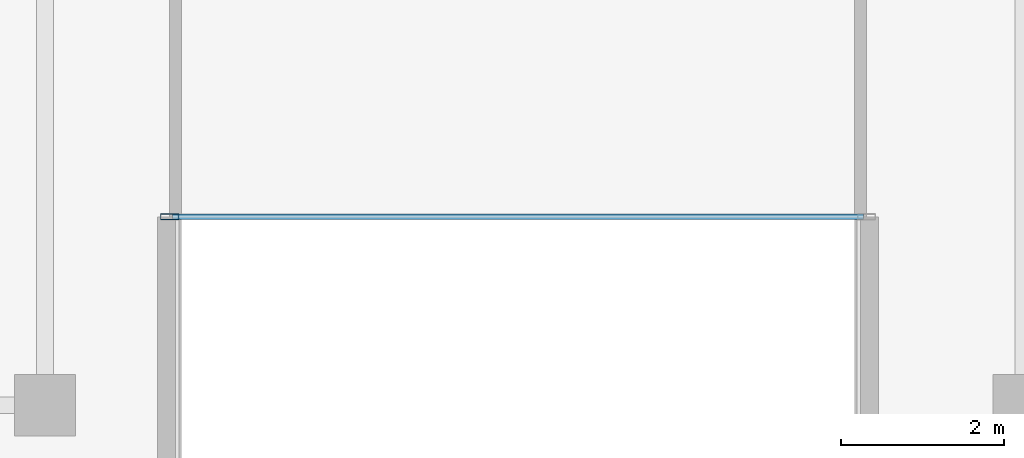
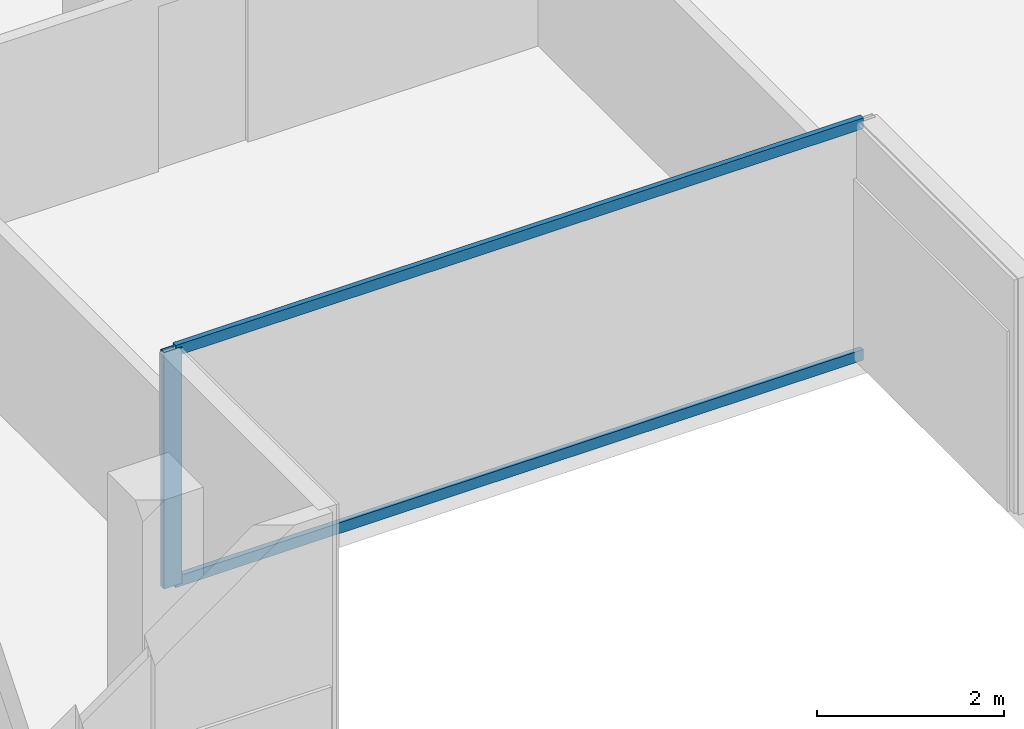
# One storey, part 4 of 28: 3 members, 1 element without a shape of its own.
"""IFC4 building model written with IfcOpenShell, lengths in metres."""

from ifc_helpers import new_model, si_unit, direction, frame, origin, origin_2d, place, context, subcontext, project, spatial, hollow_rectangle, extrude, material, layer, layer_set, material_profile, profile_set, type_object, element, aggregate, save


model = new_model("IFC4")

# Units and contexts
model_context = context("Model", 3, precision=1e-05, world=origin(), true_north=direction((0.0, 1.0)))
body_context = subcontext(model_context, "Body", "Model", "MODEL_VIEW")
ifc_project = project(units=[si_unit("LENGTHUNIT", "METRE"), si_unit("AREAUNIT", "SQUARE_METRE"), si_unit("VOLUMEUNIT", "CUBIC_METRE"), si_unit("PLANEANGLEUNIT", "RADIAN"), si_unit("MASSUNIT", "GRAM", prefix="KILO")], contexts=[model_context])

# Site, building, storey
site_placement = place(None, origin())
site = spatial("IfcSite", under=ifc_project, at=site_placement, CompositionType="ELEMENT")
building_placement = place(site_placement, origin())
building = spatial("IfcBuilding", under=site, at=building_placement, Name="Tanjung Sevakor Pilgrim Tower", CompositionType="ELEMENT")
storey_placement = place(building_placement, frame((0.0, 0.0, 222.75)))
storey = spatial("IfcBuildingStorey", under=building, at=storey_placement, Name="L62", CompositionType="ELEMENT", Elevation=222.75)

# Curtain wall, members
ifc_material_1 = material(Name="Aluminium 6063-T6 and Low-E Glass", Category="aluminium")
ifc_layer = layer(ifc_material_1, 0.179931640625)
ifc_layer_set = layer_set([ifc_layer], Name="CW-SYS-CLEFT")
curtain_wall_type = type_object("IfcCurtainWallType", Name="CW-SYS-CLEFT", PredefinedType="NOTDEFINED", material=ifc_layer_set)
curtain_wall_placement = place(storey_placement, origin())
curtain_wall = element("IfcCurtainWall", 1, at=curtain_wall_placement, inside=storey, type_object=curtain_wall_type, Name="L62 Curtain Wall CW-CLF-L62-2", PredefinedType="NOTDEFINED")
ifc_material_2 = material(Name="Aluminium 6063-T6", Category="aluminium")
ifc_material_profile_1 = material_profile(ifc_material_2, hollow_rectangle(XDim=0.074951171875, YDim=0.219970703125, WallThickness=0.0048828125, at=origin_2d()))
ifc_profile_set_1 = profile_set([ifc_material_profile_1], Name="Aluminium 6063-T6")
member_type_1 = type_object("IfcMemberType", Name="TYPE-CWM-2", PredefinedType="MULLION", material=ifc_profile_set_1)
member_1_placement = place(storey_placement, frame((43.527587890625, 15.56005859375, 0.0), z_axis=(0.0, 0.0, 1.0), x_axis=(0.0, 1.0, 0.0)))
member_1 = element("IfcMember", 2, at=member_1_placement, type_object=member_type_1, Name="CW-CLF mullion 1", PredefinedType="MULLION", context=body_context, shape_type="SweptSolid", body=[
    extrude(hollow_rectangle(XDim=0.074951171875, YDim=0.219970703125, WallThickness=0.0048828125, at=origin_2d()), origin(), (0.0, 0.0, 1.0), 3.080078125),
])
ifc_material_3 = material(Name="Aluminium 6063-T6", Category="aluminium")
ifc_material_profile_2 = material_profile(ifc_material_3, hollow_rectangle(XDim=0.06494140625, YDim=0.139892578125, WallThickness=0.00390625, at=origin_2d()))
ifc_profile_set_2 = profile_set([ifc_material_profile_2], Name="Aluminium 6063-T6")
member_type_2 = type_object("IfcMemberType", Name="TYPE-CWT-1", PredefinedType="USERDEFINED", material=ifc_profile_set_2)
member_2_placement = place(storey_placement, frame((43.56494140625, 15.56005859375, 0.032470703125), z_axis=(1.0, 0.0, 0.0), x_axis=(0.0, 1.0, 0.0)))
member_2 = element("IfcMember", 3, at=member_2_placement, type_object=member_type_2, Name="CW-CLF transom 1.1", ObjectType="TRANSOM", PredefinedType="USERDEFINED", context=body_context, shape_type="SweptSolid", body=[
    extrude(hollow_rectangle(XDim=0.06494140625, YDim=0.139892578125, WallThickness=0.00390625, at=origin_2d()), origin(), (0.0, 0.0, 1.0), 8.469970703125),
])
member_3_placement = place(storey_placement, frame((43.56494140625, 15.56005859375, 3.047607421875), z_axis=(1.0, 0.0, 0.0), x_axis=(0.0, 1.0, 0.0)))
member_3 = element("IfcMember", 4, at=member_3_placement, type_object=member_type_2, Name="CW-CLF transom 1.2", ObjectType="TRANSOM", PredefinedType="USERDEFINED", context=body_context, shape_type="SweptSolid", body=[
    extrude(hollow_rectangle(XDim=0.06494140625, YDim=0.139892578125, WallThickness=0.00390625, at=origin_2d()), origin(), (0.0, 0.0, 1.0), 8.469970703125),
])
aggregate(curtain_wall, [member_1, member_2, member_3])

save(model, "model.ifc")
